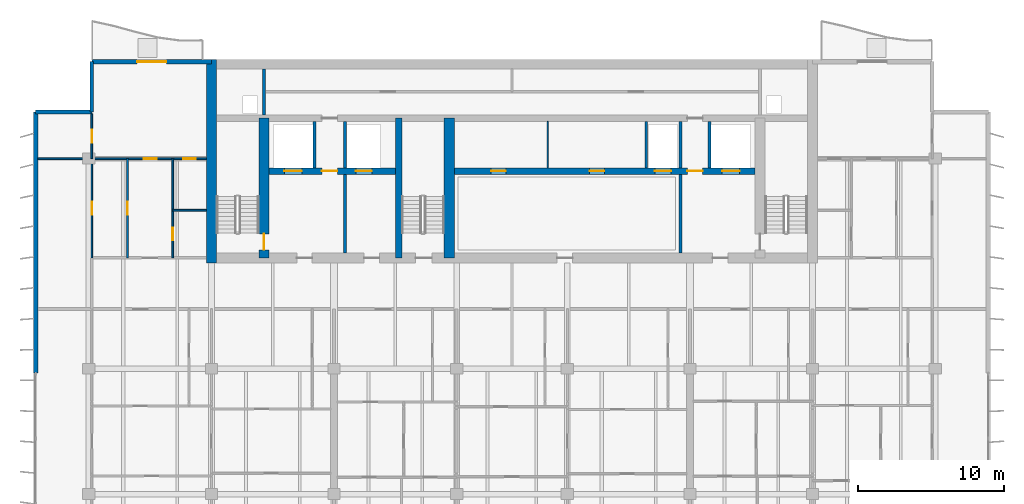
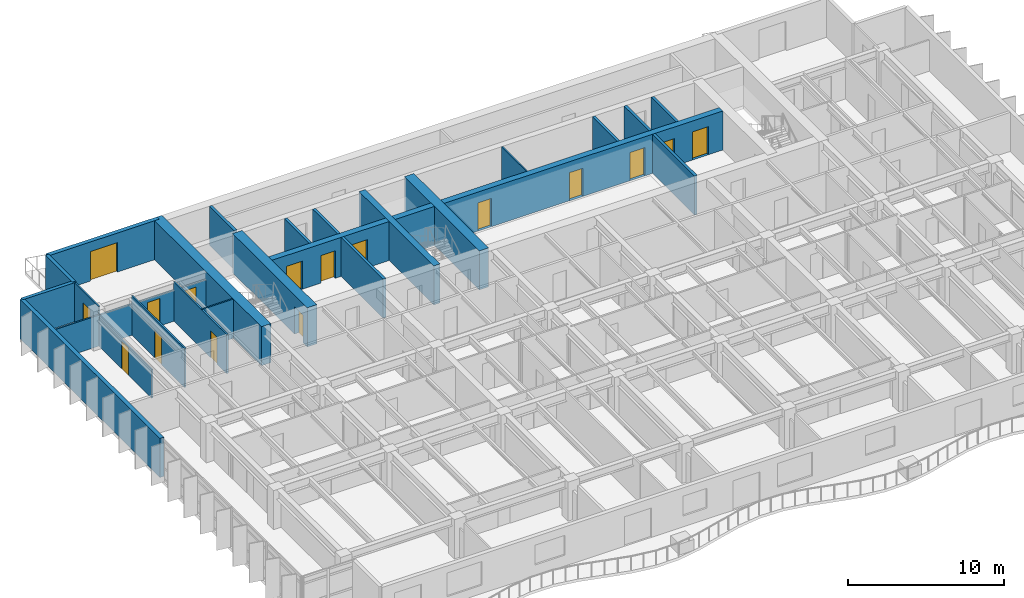
# One storey, part 13 of 19: 24 walls, 16 doors, 16 openings.
"""IFC4 building model written with IfcOpenShell, lengths in metres."""

from ifc_helpers import new_model, si_unit, direction, frame, frame_2d, origin, place, context, subcontext, project, spatial, rectangle, extrude, material, layer, layer_set, type_object, element, fill, save


model = new_model("IFC4")

# Units and contexts
model_context = context("Model", 3, precision=1e-05, world=origin(), true_north=direction((0.0, 1.0)))
body_context = subcontext(model_context, "Body", "Model", "MODEL_VIEW")
ifc_project = project(units=[si_unit("LENGTHUNIT", "METRE"), si_unit("AREAUNIT", "SQUARE_METRE"), si_unit("VOLUMEUNIT", "CUBIC_METRE"), si_unit("PLANEANGLEUNIT", "RADIAN"), si_unit("MASSUNIT", "GRAM", prefix="KILO")], contexts=[model_context])

# Site, building, storey
site_placement = place(None, origin())
site = spatial("IfcSite", under=ifc_project, at=site_placement, CompositionType="ELEMENT")
building_placement = place(site_placement, origin())
building = spatial("IfcBuilding", under=site, at=building_placement, Name="Caelmar Bay Residences", CompositionType="ELEMENT")
storey_placement = place(building_placement, frame((0.0, 0.0, 195.0)))
storey = spatial("IfcBuildingStorey", under=building, at=storey_placement, Name="L54", CompositionType="ELEMENT", Elevation=195.0)

# Wall
ifc_material_1 = material(Name="Concrete f'c 55 MPa (8,000 psi)", Category="concrete")
ifc_layer_1 = layer(ifc_material_1, 0.699951171875)
ifc_layer_set_1 = layer_set([ifc_layer_1], Name="Concrete f'c 55 MPa (8,000 psi)")
wall_type_1 = type_object("IfcWallType", Name="SW-COR-700", PredefinedType="SHEAR", material=ifc_layer_set_1)
wall_1_placement = place(storey_placement, frame((18.300048828125, 36.64990234375, 0.0), z_axis=(0.0, 0.0, 1.0), x_axis=(0.0, 1.0, 0.0)))
element("IfcWall", 1, at=wall_1_placement, inside=storey, type_object=wall_type_1, Name="L54 Rear Core West Shear Wall", PredefinedType="SHEAR", context=body_context, shape_type="SweptSolid", body=[
    extrude(rectangle(XDim=13.9501953125, YDim=0.699951171875, at=frame_2d((6.97509765625, 0.0))), origin(), (0.0, 0.0, 1.0), 3.050048828125),
])

# Wall, opening, door
wall_2_placement = place(storey_placement, frame((21.89990234375, 37.0, 0.0), z_axis=(0.0, 0.0, 1.0), x_axis=(0.0, 1.0, 0.0)))
wall_2 = element("IfcWall", 2, at=wall_2_placement, inside=storey, type_object=wall_type_1, Name="L54 Core Structural Web Wall ST1E", PredefinedType="SHEAR", context=body_context, shape_type="SweptSolid", body=[
    extrude(rectangle(XDim=9.574951171875, YDim=0.699951171875, at=frame_2d((4.78759765625, 0.0))), origin(), (0.0, 0.0, 1.0), 3.050048828125),
])
opening_1_placement = place(wall_2_placement, frame((0.550048828125, 0.0, 0.0)))
opening_1 = element("IfcOpeningElement", 3, at=opening_1_placement, cuts=wall_2, Name="Opening D-L54-107", PredefinedType="OPENING", context=body_context, shape_type="SweptSolid", body=[
    extrude(rectangle(XDim=1.10009765625, YDim=2.14990234375, at=frame_2d((0.550048828125, 1.074951171875))), frame((0.0, 0.35986328125, 0.0), z_axis=(0.0, -1.0, 0.0), x_axis=(1.0, 0.0, 0.0)), (0.0, 0.0, 1.0), 0.719970703125),
])
ifc_material_2 = material(Name="Fire-rated steel and walnut architectural door assembly", Category="steel")
ifc_layer_2 = layer(ifc_material_2, 0.050048828125)
ifc_layer_set_2 = layer_set([ifc_layer_2], Name="Fire-rated steel and walnut architectural door assembly")
door_type_1 = type_object("IfcDoorType", Name="D-STAIR-1100", OperationType="NOTDEFINED", PredefinedType="DOOR", material=ifc_layer_set_2)
door_1_placement = place(opening_1_placement, origin())
door_1 = element("IfcDoor", 4, at=door_1_placement, inside=storey, type_object=door_type_1, Name="L54 Firefighting Lobby West Door", OperationType="SINGLE_SWING_LEFT", OverallHeight=2.14990234375, OverallWidth=1.10009765625, PredefinedType="DOOR", context=body_context, shape_type="SweptSolid", body=[
    extrude(rectangle(XDim=1.10009765625, YDim=2.14990234375, at=frame_2d((0.550048828125, 1.074951171875))), frame((0.0, 0.02490234375, 0.0), z_axis=(0.0, -1.0, 0.0), x_axis=(1.0, 0.0, 0.0)), (0.0, 0.0, 1.0), 0.050048828125),
])
fill(opening_1, door_1)

# Walls
wall_3_placement = place(storey_placement, frame((34.60009765625, 37.0, 0.0), z_axis=(0.0, 0.0, 1.0), x_axis=(0.0, 1.0, 0.0)))
element("IfcWall", 5, at=wall_3_placement, inside=storey, type_object=wall_type_1, Name="L54 Core Structural Web Wall ST3E", PredefinedType="SHEAR", context=body_context, shape_type="SweptSolid", body=[
    extrude(rectangle(XDim=9.574951171875, YDim=0.699951171875, at=frame_2d((4.78759765625, 0.0))), origin(), (0.0, 0.0, 1.0), 3.050048828125),
])
ifc_material_3 = material(Name="Concrete f'c 70 MPa (10,000 psi)", Category="concrete")
ifc_layer_3 = layer(ifc_material_3, 0.449951171875)
ifc_layer_set_3 = layer_set([ifc_layer_3], Name="Concrete f'c 70 MPa (10,000 psi)")
wall_type_2 = type_object("IfcWallType", Name="SW-WEB-450", PredefinedType="SHEAR", material=ifc_layer_set_3)
wall_4_placement = place(storey_placement, frame((31.125, 37.0, 0.0), z_axis=(0.0, 0.0, 1.0), x_axis=(0.0, 1.0, 0.0)))
element("IfcWall", 6, at=wall_4_placement, inside=storey, type_object=wall_type_2, Name="L54 Core Structural Web Wall ST3W", PredefinedType="SHEAR", context=body_context, shape_type="SweptSolid", body=[
    extrude(rectangle(XDim=9.574951171875, YDim=0.449951171875, at=frame_2d((4.78759765625, 0.0))), origin(), (0.0, 0.0, 1.0), 3.050048828125),
])

# Wall, openings, doors
wall_5_placement = place(storey_placement, frame((22.25, 42.949951171875, 0.0), z_axis=(0.0, 0.0, 1.0), x_axis=(1.0, 0.0, 0.0)))
wall_5 = element("IfcWall", 7, at=wall_5_placement, inside=storey, type_object=wall_type_2, Name="L54 Core Structural Web Wall LFR", PredefinedType="SHEAR", context=body_context, shape_type="SweptSolid", body=[
    extrude(rectangle(XDim=33.300048828125, YDim=0.449951171875, at=frame_2d((16.64990234375, 0.0))), origin(), (0.0, 0.0, 1.0), 3.050048828125),
])
opening_2_placement = place(wall_5_placement, frame((1.050048828125, 0.0, 0.0)))
opening_2 = element("IfcOpeningElement", 8, at=opening_2_placement, cuts=wall_5, Name="Opening LD2", PredefinedType="OPENING", context=body_context, shape_type="SweptSolid", body=[
    extrude(rectangle(XDim=1.199951171875, YDim=2.199951171875, at=frame_2d((0.60009765625, 1.10009765625))), frame((0.0, 0.23486328125, 0.0), z_axis=(0.0, -1.0, 0.0), x_axis=(1.0, 0.0, 0.0)), (0.0, 0.0, 1.0), 0.469970703125),
])
opening_3_placement = place(wall_5_placement, frame((31.050048828125, 0.0, 0.0)))
opening_3 = element("IfcOpeningElement", 9, at=opening_3_placement, cuts=wall_5, Name="Opening LD2", PredefinedType="OPENING", context=body_context, shape_type="SweptSolid", body=[
    extrude(rectangle(XDim=1.199951171875, YDim=2.199951171875, at=frame_2d((0.60009765625, 1.10009765625))), frame((0.0, 0.23486328125, 0.0), z_axis=(0.0, -1.0, 0.0), x_axis=(1.0, 0.0, 0.0)), (0.0, 0.0, 1.0), 0.469970703125),
])
opening_4_placement = place(wall_5_placement, frame((26.449951171875, 0.0, 0.0)))
opening_4 = element("IfcOpeningElement", 10, at=opening_4_placement, cuts=wall_5, Name="Opening LD1", PredefinedType="OPENING", context=body_context, shape_type="SweptSolid", body=[
    extrude(rectangle(XDim=1.10009765625, YDim=2.199951171875, at=frame_2d((0.550048828125, 1.10009765625))), frame((0.0, 0.23486328125, 0.0), z_axis=(0.0, -1.0, 0.0), x_axis=(1.0, 0.0, 0.0)), (0.0, 0.0, 1.0), 0.469970703125),
])
opening_5_placement = place(wall_5_placement, frame((5.949951171875, 0.0, 0.0)))
opening_5 = element("IfcOpeningElement", 11, at=opening_5_placement, cuts=wall_5, Name="Opening LD1", PredefinedType="OPENING", context=body_context, shape_type="SweptSolid", body=[
    extrude(rectangle(XDim=1.10009765625, YDim=2.199951171875, at=frame_2d((0.550048828125, 1.10009765625))), frame((0.0, 0.23486328125, 0.0), z_axis=(0.0, -1.0, 0.0), x_axis=(1.0, 0.0, 0.0)), (0.0, 0.0, 1.0), 0.469970703125),
])
opening_6_placement = place(wall_5_placement, frame((3.625, 0.0, 0.0)))
opening_6 = element("IfcOpeningElement", 12, at=opening_6_placement, cuts=wall_5, Name="Opening D-L54-108", PredefinedType="OPENING", context=body_context, shape_type="SweptSolid", body=[
    extrude(rectangle(XDim=1.050048828125, YDim=2.14990234375, at=frame_2d((0.52490234375, 1.074951171875))), frame((0.0, 0.23486328125, 0.0), z_axis=(0.0, -1.0, 0.0), x_axis=(1.0, 0.0, 0.0)), (0.0, 0.0, 1.0), 0.469970703125),
])
opening_7_placement = place(wall_5_placement, frame((28.675048828125, 0.0, 0.0)))
opening_7 = element("IfcOpeningElement", 13, at=opening_7_placement, cuts=wall_5, Name="Opening D-L54-111", PredefinedType="OPENING", context=body_context, shape_type="SweptSolid", body=[
    extrude(rectangle(XDim=1.050048828125, YDim=2.14990234375, at=frame_2d((0.52490234375, 1.074951171875))), frame((0.0, 0.23486328125, 0.0), z_axis=(0.0, -1.0, 0.0), x_axis=(1.0, 0.0, 0.0)), (0.0, 0.0, 1.0), 0.469970703125),
])
opening_8_placement = place(wall_5_placement, frame((15.22509765625, 0.0, 0.0)))
opening_8 = element("IfcOpeningElement", 14, at=opening_8_placement, cuts=wall_5, Name="Opening D-L54-114", PredefinedType="OPENING", context=body_context, shape_type="SweptSolid", body=[
    extrude(rectangle(XDim=1.0, YDim=2.199951171875, at=frame_2d((0.5, 1.10009765625))), frame((0.0, 0.23486328125, 0.0), z_axis=(0.0, -1.0, 0.0), x_axis=(1.0, 0.0, 0.0)), (0.0, 0.0, 1.0), 0.469970703125),
])
opening_9_placement = place(wall_5_placement, frame((21.97509765625, 0.0, 0.0)))
opening_9 = element("IfcOpeningElement", 15, at=opening_9_placement, cuts=wall_5, Name="Opening D-L54-115", PredefinedType="OPENING", context=body_context, shape_type="SweptSolid", body=[
    extrude(rectangle(XDim=1.0, YDim=2.199951171875, at=frame_2d((0.5, 1.10009765625))), frame((0.0, 0.23486328125, 0.0), z_axis=(0.0, -1.0, 0.0), x_axis=(1.0, 0.0, 0.0)), (0.0, 0.0, 1.0), 0.469970703125),
])
ifc_layer_4 = layer(ifc_material_2, 0.050048828125)
ifc_layer_set_4 = layer_set([ifc_layer_4], Name="Fire-rated steel and walnut architectural door assembly")
door_type_2 = type_object("IfcDoorType", Name="D-FSAE-1050", OperationType="NOTDEFINED", PredefinedType="DOOR", material=ifc_layer_set_4)
door_2_placement = place(opening_6_placement, origin())
door_2 = element("IfcDoor", 16, at=door_2_placement, inside=storey, type_object=door_type_2, Name="L54 Firefighting Lobby West Door", OperationType="SINGLE_SWING_RIGHT", OverallHeight=2.14990234375, OverallWidth=1.050048828125, PredefinedType="DOOR", context=body_context, shape_type="SweptSolid", body=[
    extrude(rectangle(XDim=1.050048828125, YDim=2.14990234375, at=frame_2d((0.52490234375, 1.074951171875))), frame((0.0, 0.02490234375, 0.0), z_axis=(0.0, -1.0, 0.0), x_axis=(1.0, 0.0, 0.0)), (0.0, 0.0, 1.0), 0.050048828125),
])
fill(opening_6, door_2)
door_3_placement = place(opening_7_placement, origin())
door_3 = element("IfcDoor", 17, at=door_3_placement, inside=storey, type_object=door_type_2, Name="L54 Firefighting Lobby East Door", OperationType="SINGLE_SWING_LEFT", OverallHeight=2.14990234375, OverallWidth=1.050048828125, PredefinedType="DOOR", context=body_context, shape_type="SweptSolid", body=[
    extrude(rectangle(XDim=1.050048828125, YDim=2.14990234375, at=frame_2d((0.52490234375, 1.074951171875))), frame((0.0, 0.02490234375, 0.0), z_axis=(0.0, -1.0, 0.0), x_axis=(1.0, 0.0, 0.0)), (0.0, 0.0, 1.0), 0.050048828125),
])
fill(opening_7, door_3)
ifc_material_4 = material(Name="Brushed bronze stainless-steel fire-rated lift landing doors", Category="steel")
ifc_layer_5 = layer(ifc_material_4, 0.050048828125)
ifc_layer_set_5 = layer_set([ifc_layer_5], Name="Brushed bronze stainless-steel fire-rated lift landing doors")
door_type_3 = type_object("IfcDoorType", Name="D-LND-1100", OperationType="DOUBLE_DOOR_SLIDING", PredefinedType="DOOR", material=ifc_layer_set_5)
door_4_placement = place(opening_4_placement, origin())
door_4 = element("IfcDoor", 18, at=door_4_placement, inside=storey, type_object=door_type_3, Name="L54 LP6 Sliding Landing Door", OperationType="DOUBLE_DOOR_SLIDING", OverallHeight=2.199951171875, OverallWidth=1.10009765625, PredefinedType="DOOR", context=body_context, shape_type="SweptSolid", body=[
    extrude(rectangle(XDim=1.10009765625, YDim=2.199951171875, at=frame_2d((0.550048828125, 1.10009765625))), frame((0.0, 0.02490234375, 0.0), z_axis=(0.0, -1.0, 0.0), x_axis=(1.0, 0.0, 0.0)), (0.0, 0.0, 1.0), 0.050048828125),
])
fill(opening_4, door_4)
door_5_placement = place(opening_5_placement, origin())
door_5 = element("IfcDoor", 19, at=door_5_placement, inside=storey, type_object=door_type_3, Name="L54 LP7 Sliding Landing Door", OperationType="DOUBLE_DOOR_SLIDING", OverallHeight=2.199951171875, OverallWidth=1.10009765625, PredefinedType="DOOR", context=body_context, shape_type="SweptSolid", body=[
    extrude(rectangle(XDim=1.10009765625, YDim=2.199951171875, at=frame_2d((0.550048828125, 1.10009765625))), frame((0.0, 0.02490234375, 0.0), z_axis=(0.0, -1.0, 0.0), x_axis=(1.0, 0.0, 0.0)), (0.0, 0.0, 1.0), 0.050048828125),
])
fill(opening_5, door_5)
ifc_material_5 = material(Name="Brushed stainless-steel FSAE sliding landing door", Category="steel")
ifc_layer_6 = layer(ifc_material_5, 0.050048828125)
ifc_layer_set_6 = layer_set([ifc_layer_6], Name="Brushed stainless-steel FSAE sliding landing door")
door_type_4 = type_object("IfcDoorType", Name="D-LND-1200", OperationType="DOUBLE_DOOR_SLIDING", PredefinedType="DOOR", material=ifc_layer_set_6)
door_6_placement = place(opening_2_placement, origin())
door_6 = element("IfcDoor", 20, at=door_6_placement, inside=storey, type_object=door_type_4, Name="L54 LF1 Sliding Landing Door", OperationType="DOUBLE_DOOR_SLIDING", OverallHeight=2.199951171875, OverallWidth=1.199951171875, PredefinedType="DOOR", context=body_context, shape_type="SweptSolid", body=[
    extrude(rectangle(XDim=1.199951171875, YDim=2.199951171875, at=frame_2d((0.60009765625, 1.10009765625))), frame((0.0, 0.02490234375, 0.0), z_axis=(0.0, -1.0, 0.0), x_axis=(1.0, 0.0, 0.0)), (0.0, 0.0, 1.0), 0.050048828125),
])
fill(opening_2, door_6)
door_7_placement = place(opening_3_placement, origin())
door_7 = element("IfcDoor", 21, at=door_7_placement, inside=storey, type_object=door_type_4, Name="L54 LF2 Sliding Landing Door", OperationType="DOUBLE_DOOR_SLIDING", OverallHeight=2.199951171875, OverallWidth=1.199951171875, PredefinedType="DOOR", context=body_context, shape_type="SweptSolid", body=[
    extrude(rectangle(XDim=1.199951171875, YDim=2.199951171875, at=frame_2d((0.60009765625, 1.10009765625))), frame((0.0, 0.02490234375, 0.0), z_axis=(0.0, -1.0, 0.0), x_axis=(1.0, 0.0, 0.0)), (0.0, 0.0, 1.0), 0.050048828125),
])
fill(opening_3, door_7)
ifc_layer_7 = layer(ifc_material_2, 0.050048828125)
ifc_layer_set_7 = layer_set([ifc_layer_7], Name="Fire-rated steel and walnut architectural door assembly")
door_type_5 = type_object("IfcDoorType", Name="D-UNIT-1000", OperationType="NOTDEFINED", PredefinedType="DOOR", material=ifc_layer_set_7)
door_8_placement = place(opening_8_placement, origin())
door_8 = element("IfcDoor", 22, at=door_8_placement, inside=storey, type_object=door_type_5, Name="L54 Collector Study Door", OperationType="SINGLE_SWING_RIGHT", OverallHeight=2.199951171875, OverallWidth=1.0, PredefinedType="DOOR", context=body_context, shape_type="SweptSolid", body=[
    extrude(rectangle(XDim=1.0, YDim=2.199951171875, at=frame_2d((0.5, 1.10009765625))), frame((0.0, 0.02490234375, 0.0), z_axis=(0.0, -1.0, 0.0), x_axis=(1.0, 0.0, 0.0)), (0.0, 0.0, 1.0), 0.050048828125),
])
fill(opening_8, door_8)
door_9_placement = place(opening_9_placement, origin())
door_9 = element("IfcDoor", 23, at=door_9_placement, inside=storey, type_object=door_type_5, Name="L54 Private Dining Room Door", OperationType="SINGLE_SWING_LEFT", OverallHeight=2.199951171875, OverallWidth=1.0, PredefinedType="DOOR", context=body_context, shape_type="SweptSolid", body=[
    extrude(rectangle(XDim=1.0, YDim=2.199951171875, at=frame_2d((0.5, 1.10009765625))), frame((0.0, 0.02490234375, 0.0), z_axis=(0.0, -1.0, 0.0), x_axis=(1.0, 0.0, 0.0)), (0.0, 0.0, 1.0), 0.050048828125),
])
fill(opening_9, door_9)

# Walls
ifc_material_6 = material(Name="Precast concrete f'c 40 MPa (6,000 psi)", Category="concrete")
ifc_layer_8 = layer(ifc_material_6, 0.25)
ifc_layer_set_8 = layer_set([ifc_layer_8], Name="Precast concrete f'c 40 MPa (6,000 psi)")
wall_type_3 = type_object("IfcWallType", Name="W-EXT-250", PredefinedType="ELEMENTEDWALL", material=ifc_layer_set_8)
wall_6_placement = place(storey_placement, frame((6.25, 47.0, 0.0), z_axis=(0.0, 0.0, 1.0), x_axis=(1.0, 0.0, 0.0)))
element("IfcWall", 24, at=wall_6_placement, inside=storey, type_object=wall_type_3, Name="L54 NNW-H Notch Wall", PredefinedType="ELEMENTEDWALL", context=body_context, shape_type="SweptSolid", body=[
    extrude(rectangle(XDim=3.85009765625, YDim=0.25, at=frame_2d((1.925048828125, 0.0))), origin(), (0.0, 0.0, 1.0), 3.050048828125),
])
wall_7_placement = place(storey_placement, frame((10.10009765625, 47.0, 0.0), z_axis=(0.0, 0.0, 1.0), x_axis=(0.0, 1.0, 0.0)))
element("IfcWall", 25, at=wall_7_placement, inside=storey, type_object=wall_type_3, Name="L54 NNW-V Notch Wall", PredefinedType="ELEMENTEDWALL", context=body_context, shape_type="SweptSolid", body=[
    extrude(rectangle(XDim=3.449951171875, YDim=0.25, at=frame_2d((1.72509765625, 0.0))), origin(), (0.0, 0.0, 1.0), 3.050048828125),
])
ifc_layer_9 = layer(ifc_material_6, 0.300048828125)
ifc_layer_set_9 = layer_set([ifc_layer_9], Name="Precast concrete f'c 40 MPa (6,000 psi)")
wall_type_4 = type_object("IfcWallType", Name="W-EXT-300", PredefinedType="STANDARD", material=ifc_layer_set_9)
wall_8_placement = place(storey_placement, frame((6.25, 29.10009765625, 0.0), z_axis=(0.0, 0.0, 1.0), x_axis=(0.0, 1.0, 0.0)))
element("IfcWall", 26, at=wall_8_placement, inside=storey, type_object=wall_type_4, Name="L54 West Rear Exterior Wall", PredefinedType="STANDARD", context=body_context, shape_type="SweptSolid", body=[
    extrude(rectangle(XDim=17.89990234375, YDim=0.300048828125, at=frame_2d((8.949951171875, 0.0))), origin(), (0.0, 0.0, 1.0), 3.050048828125),
])

# Wall, opening, door
wall_9_placement = place(storey_placement, frame((10.10009765625, 50.449951171875, 0.0), z_axis=(0.0, 0.0, 1.0), x_axis=(1.0, 0.0, 0.0)))
wall_9 = element("IfcWall", 27, at=wall_9_placement, inside=storey, type_object=wall_type_4, Name="L54 North-West Wing Exterior Wall", PredefinedType="STANDARD", context=body_context, shape_type="SweptSolid", body=[
    extrude(rectangle(XDim=8.199951171875, YDim=0.300048828125, at=frame_2d((4.10009765625, 0.0))), origin(), (0.0, 0.0, 1.0), 3.050048828125),
])
opening_10_placement = place(wall_9_placement, frame((3.10009765625, 0.0, 0.0)))
opening_10 = element("IfcOpeningElement", 28, at=opening_10_placement, cuts=wall_9, Name="Opening L54-BDNW", PredefinedType="OPENING", context=body_context, shape_type="SweptSolid", body=[
    extrude(rectangle(XDim=2.0, YDim=2.300048828125, at=frame_2d((1.0, 1.14990234375))), frame((0.0, 0.159912109375, 0.0), z_axis=(0.0, -1.0, 0.0), x_axis=(1.0, 0.0, 0.0)), (0.0, 0.0, 1.0), 0.320068359375),
])
ifc_material_7 = material(Name="Anodised bronze thermally broken sliding glass door", Category="glass")
ifc_layer_10 = layer(ifc_material_7, 0.050048828125)
ifc_layer_set_10 = layer_set([ifc_layer_10], Name="Anodised bronze thermally broken sliding glass door")
door_type_6 = type_object("IfcDoorType", Name="D-BAL-2000", OperationType="DOUBLE_DOOR_SLIDING", PredefinedType="DOOR", material=ifc_layer_set_10)
door_10_placement = place(opening_10_placement, origin())
door_10 = element("IfcDoor", 29, at=door_10_placement, inside=storey, type_object=door_type_6, Name="L54 North-West Balcony Door", OperationType="DOUBLE_DOOR_SLIDING", OverallHeight=2.300048828125, OverallWidth=2.0, PredefinedType="DOOR", context=body_context, shape_type="SweptSolid", body=[
    extrude(rectangle(XDim=2.0, YDim=2.300048828125, at=frame_2d((1.0, 1.14990234375))), frame((0.0, 0.02490234375, 0.0), z_axis=(0.0, -1.0, 0.0), x_axis=(1.0, 0.0, 0.0)), (0.0, 0.0, 1.0), 0.050048828125),
])
fill(opening_10, door_10)

# Walls
ifc_material_8 = material(Name="Fire-rated masonry and gypsum shaftliner assembly 200 mm", Category="masonry")
ifc_layer_11 = layer(ifc_material_8, 0.199951171875)
ifc_layer_set_11 = layer_set([ifc_layer_11], Name="Fire-rated masonry and gypsum shaftliner assembly 200 mm")
wall_type_5 = type_object("IfcWallType", Name="W-FSAE-200", PredefinedType="PARTITIONING", material=ifc_layer_set_11)
wall_10_placement = place(storey_placement, frame((21.89990234375, 46.794921875, 0.0), z_axis=(0.0, 0.0, 1.0), x_axis=(0.0, 1.0, 0.0)))
element("IfcWall", 30, at=wall_10_placement, inside=storey, type_object=wall_type_5, Name="L54 Partition Wall V021", PredefinedType="PARTITIONING", context=body_context, shape_type="SweptSolid", body=[
    extrude(rectangle(XDim=3.16015625, YDim=0.199951171875, at=frame_2d((1.580078125, 0.0))), origin(), (0.0, 0.0, 1.0), 3.050048828125),
])
wall_11_placement = place(storey_placement, frame((25.35009765625, 43.169921875, 0.0), z_axis=(0.0, 0.0, 1.0), x_axis=(0.0, 1.0, 0.0)))
element("IfcWall", 31, at=wall_11_placement, inside=storey, type_object=wall_type_5, Name="L54 Partition Wall V025", PredefinedType="PARTITIONING", context=body_context, shape_type="SweptSolid", body=[
    extrude(rectangle(XDim=3.18505859375, YDim=0.199951171875, at=frame_2d((1.592529296875, 0.0))), origin(), (0.0, 0.0, 1.0), 3.050048828125),
])
wall_12_placement = place(storey_placement, frame((27.449951171875, 37.344970703125, 0.0), z_axis=(0.0, 0.0, 1.0), x_axis=(0.0, 1.0, 0.0)))
element("IfcWall", 32, at=wall_12_placement, inside=storey, type_object=wall_type_5, Name="L54 Partition Wall V029", PredefinedType="PARTITIONING", context=body_context, shape_type="SweptSolid", body=[
    extrude(rectangle(XDim=5.385009765625, YDim=0.199951171875, at=frame_2d((2.6923828125, 0.0))), origin(), (0.0, 0.0, 1.0), 3.050048828125),
])
for number, where, z_axis, x_axis, name in (
    (33, (27.449951171875, 43.169921875, 0.0), (0.0, 0.0, 1.0), (0.0, 1.0, 0.0), "L54 Partition Wall V030"),
    (34, (48.10009765625, 43.169921875, 0.0), (0.0, 0.0, 1.0), (0.0, 1.0, 0.0), "L54 Partition Wall V056"),
):
    element("IfcWall", number, at=place(storey_placement, frame(where, z_axis=z_axis, x_axis=x_axis)), inside=storey, type_object=wall_type_5, Name=name, PredefinedType="PARTITIONING", context=body_context, shape_type="SweptSolid", body=[
        extrude(rectangle(XDim=3.18505859375, YDim=0.199951171875, at=frame_2d((1.592529296875, 0.0))), origin(), (0.0, 0.0, 1.0), 3.050048828125),
    ])
wall_13_placement = place(storey_placement, frame((50.449951171875, 37.344970703125, 0.0), z_axis=(0.0, 0.0, 1.0), x_axis=(0.0, 1.0, 0.0)))
element("IfcWall", 35, at=wall_13_placement, inside=storey, type_object=wall_type_5, Name="L54 Partition Wall V060", PredefinedType="PARTITIONING", context=body_context, shape_type="SweptSolid", body=[
    extrude(rectangle(XDim=5.385009765625, YDim=0.199951171875, at=frame_2d((2.6923828125, 0.0))), origin(), (0.0, 0.0, 1.0), 3.050048828125),
])
for number, where, z_axis, x_axis, name in (
    (36, (50.449951171875, 43.169921875, 0.0), (0.0, 0.0, 1.0), (0.0, 1.0, 0.0), "L54 Partition Wall V061"),
    (37, (52.449951171875, 43.169921875, 0.0), (0.0, 0.0, 1.0), (0.0, 1.0, 0.0), "L54 Partition Wall V065"),
):
    element("IfcWall", number, at=place(storey_placement, frame(where, z_axis=z_axis, x_axis=x_axis)), inside=storey, type_object=wall_type_5, Name=name, PredefinedType="PARTITIONING", context=body_context, shape_type="SweptSolid", body=[
        extrude(rectangle(XDim=3.18505859375, YDim=0.199951171875, at=frame_2d((1.592529296875, 0.0))), origin(), (0.0, 0.0, 1.0), 3.050048828125),
    ])

# Wall, opening, door
ifc_material_9 = material(Name="Anodised bronze framed acoustic sliding study partition 100 mm")
ifc_layer_12 = layer(ifc_material_9, 0.10009765625)
ifc_layer_set_12 = layer_set([ifc_layer_12], Name="Anodised bronze framed acoustic sliding study partition 100 mm")
wall_type_6 = type_object("IfcWallType", Name="W-MOV-100", PredefinedType="MOVABLE", material=ifc_layer_set_12)
wall_14_placement = place(storey_placement, frame((10.10009765625, 37.0048828125, 0.0), z_axis=(0.0, 0.0, 1.0), x_axis=(0.0, 1.0, 0.0)))
wall_14 = element("IfcWall", 38, at=wall_14_placement, inside=storey, type_object=wall_type_6, Name="L54 Partition Wall V008", PredefinedType="MOVABLE", context=body_context, shape_type="SweptSolid", body=[
    extrude(rectangle(XDim=6.795166015625, YDim=0.10009765625, at=frame_2d((3.3974609375, 0.0))), origin(), (0.0, 0.0, 1.0), 2.262939453125),
])
opening_11_placement = place(wall_14_placement, frame((2.947509765625, 0.0, 0.0)))
opening_11 = element("IfcOpeningElement", 39, at=opening_11_placement, cuts=wall_14, Name="Opening D-L54-164", PredefinedType="OPENING", context=body_context, shape_type="SweptSolid", body=[
    extrude(rectangle(XDim=0.89990234375, YDim=2.14990234375, at=frame_2d((0.449951171875, 1.074951171875))), frame((0.0, 0.06005859375, 0.0), z_axis=(0.0, -1.0, 0.0), x_axis=(1.0, 0.0, 0.0)), (0.0, 0.0, 1.0), 0.1201171875),
])
ifc_material_10 = material(Name="Solid walnut timber interior door leaf and frame", Category="wood")
ifc_layer_13 = layer(ifc_material_10, 0.050048828125)
ifc_layer_set_13 = layer_set([ifc_layer_13], Name="Solid walnut timber interior door leaf and frame")
door_type_7 = type_object("IfcDoorType", Name="D-ROOM-900", OperationType="NOTDEFINED", PredefinedType="DOOR", material=ifc_layer_set_13)
door_11_placement = place(opening_11_placement, origin())
door_11 = element("IfcDoor", 40, at=door_11_placement, inside=storey, type_object=door_type_7, Name="L54 Residence WA Sun Study Door", OperationType="SINGLE_SWING_RIGHT", OverallHeight=2.14990234375, OverallWidth=0.89990234375, PredefinedType="DOOR", context=body_context, shape_type="SweptSolid", body=[
    extrude(rectangle(XDim=0.89990234375, YDim=2.14990234375, at=frame_2d((0.449951171875, 1.074951171875))), frame((0.0, 0.02490234375, 0.0), z_axis=(0.0, -1.0, 0.0), x_axis=(1.0, 0.0, 0.0)), (0.0, 0.0, 1.0), 0.050048828125),
])
fill(opening_11, door_11)

# Wall
wall_15_placement = place(storey_placement, frame((41.35009765625, 43.169921875, 0.0), z_axis=(0.0, 0.0, 1.0), x_axis=(0.0, 1.0, 0.0)))
element("IfcWall", 41, at=wall_15_placement, inside=storey, type_object=wall_type_6, Name="L54 Partition Wall V048", PredefinedType="MOVABLE", context=body_context, shape_type="SweptSolid", body=[
    extrude(rectangle(XDim=3.18505859375, YDim=0.10009765625, at=frame_2d((1.592529296875, 0.0))), origin(), (0.0, 0.0, 1.0), 3.050048828125),
])

# Wall, opening, door
ifc_material_11 = material(Name="Acoustic metal-stud gypsum partition 120 mm")
ifc_layer_14 = layer(ifc_material_11, 0.1201171875)
ifc_layer_set_14 = layer_set([ifc_layer_14], Name="Acoustic metal-stud gypsum partition 120 mm")
wall_type_7 = type_object("IfcWallType", Name="W-PRT-120", PredefinedType="PARTITIONING", material=ifc_layer_set_14)
wall_16_placement = place(storey_placement, frame((10.10009765625, 43.804931640625, 0.0), z_axis=(0.0, 0.0, 1.0), x_axis=(0.0, 1.0, 0.0)))
wall_16 = element("IfcWall", 42, at=wall_16_placement, inside=storey, type_object=wall_type_7, Name="L54 Partition Wall V009", PredefinedType="PARTITIONING", context=body_context, shape_type="SweptSolid", body=[
    extrude(rectangle(XDim=3.074951171875, YDim=0.1201171875, at=frame_2d((1.53759765625, 0.0))), origin(), (0.0, 0.0, 1.0), 3.050048828125),
])
opening_12_placement = place(wall_16_placement, frame((1.08740234375, 0.0, 0.0)))
opening_12 = element("IfcOpeningElement", 43, at=opening_12_placement, cuts=wall_16, Name="Opening D-L54-165", PredefinedType="OPENING", context=body_context, shape_type="SweptSolid", body=[
    extrude(rectangle(XDim=0.89990234375, YDim=2.14990234375, at=frame_2d((0.449951171875, 1.074951171875))), frame((0.0, 0.070068359375, 0.0), z_axis=(0.0, -1.0, 0.0), x_axis=(1.0, 0.0, 0.0)), (0.0, 0.0, 1.0), 0.14013671875),
])
door_12_placement = place(opening_12_placement, origin())
door_12 = element("IfcDoor", 44, at=door_12_placement, inside=storey, type_object=door_type_7, Name="L54 Residence WA North Sitting Alcove Door", OperationType="SINGLE_SWING_LEFT", OverallHeight=2.14990234375, OverallWidth=0.89990234375, PredefinedType="DOOR", context=body_context, shape_type="SweptSolid", body=[
    extrude(rectangle(XDim=0.89990234375, YDim=2.14990234375, at=frame_2d((0.449951171875, 1.074951171875))), frame((0.0, 0.02490234375, 0.0), z_axis=(0.0, -1.0, 0.0), x_axis=(1.0, 0.0, 0.0)), (0.0, 0.0, 1.0), 0.050048828125),
])
fill(opening_12, door_12)

wall_17_placement = place(storey_placement, frame((12.5419921875, 37.0, 0.0), z_axis=(0.0, 0.0, 1.0), x_axis=(0.0, 1.0, 0.0)))
wall_17 = element("IfcWall", 45, at=wall_17_placement, inside=storey, type_object=wall_type_7, Name="L54 Partition Wall V010", PredefinedType="PARTITIONING", context=body_context, shape_type="SweptSolid", body=[
    extrude(rectangle(XDim=6.800048828125, YDim=0.1201171875, at=frame_2d((3.39990234375, 0.0))), origin(), (0.0, 0.0, 1.0), 3.050048828125),
])
opening_13_placement = place(wall_17_placement, frame((2.949951171875, 0.0, 0.0)))
opening_13 = element("IfcOpeningElement", 46, at=opening_13_placement, cuts=wall_17, Name="Opening D-L54-159", PredefinedType="OPENING", context=body_context, shape_type="SweptSolid", body=[
    extrude(rectangle(XDim=0.89990234375, YDim=2.14990234375, at=frame_2d((0.449951171875, 1.074951171875))), frame((0.0, 0.070068359375, 0.0), z_axis=(0.0, -1.0, 0.0), x_axis=(1.0, 0.0, 0.0)), (0.0, 0.0, 1.0), 0.14013671875),
])
door_13_placement = place(opening_13_placement, origin())
door_13 = element("IfcDoor", 47, at=door_13_placement, inside=storey, type_object=door_type_7, Name="L54 Residence WA Dining Room Door", OperationType="SINGLE_SWING_LEFT", OverallHeight=2.14990234375, OverallWidth=0.89990234375, PredefinedType="DOOR", context=body_context, shape_type="SweptSolid", body=[
    extrude(rectangle(XDim=0.89990234375, YDim=2.14990234375, at=frame_2d((0.449951171875, 1.074951171875))), frame((0.0, 0.02490234375, 0.0), z_axis=(0.0, -1.0, 0.0), x_axis=(1.0, 0.0, 0.0)), (0.0, 0.0, 1.0), 0.050048828125),
])
fill(opening_13, door_13)

wall_18_placement = place(storey_placement, frame((15.64990234375, 37.0, 0.0), z_axis=(0.0, 0.0, 1.0), x_axis=(0.0, 1.0, 0.0)))
wall_18 = element("IfcWall", 48, at=wall_18_placement, inside=storey, type_object=wall_type_7, Name="L54 Partition Wall V011", PredefinedType="PARTITIONING", context=body_context, shape_type="SweptSolid", body=[
    extrude(rectangle(XDim=6.800048828125, YDim=0.1201171875, at=frame_2d((3.39990234375, 0.0))), origin(), (0.0, 0.0, 1.0), 3.050048828125),
])
opening_14_placement = place(wall_18_placement, frame((1.20703125, 0.0, 0.0)))
opening_14 = element("IfcOpeningElement", 49, at=opening_14_placement, cuts=wall_18, Name="Opening D-L54-162", PredefinedType="OPENING", context=body_context, shape_type="SweptSolid", body=[
    extrude(rectangle(XDim=0.85009765625, YDim=2.10009765625, at=frame_2d((0.425048828125, 1.050048828125))), frame((0.0, 0.070068359375, 0.0), z_axis=(0.0, -1.0, 0.0), x_axis=(1.0, 0.0, 0.0)), (0.0, 0.0, 1.0), 0.14013671875),
])
ifc_layer_15 = layer(ifc_material_10, 0.050048828125)
ifc_layer_set_15 = layer_set([ifc_layer_15], Name="Solid walnut timber interior door leaf and frame")
door_type_8 = type_object("IfcDoorType", Name="D-BATH-850", OperationType="NOTDEFINED", PredefinedType="DOOR", material=ifc_layer_set_15)
door_14_placement = place(opening_14_placement, origin())
door_14 = element("IfcDoor", 50, at=door_14_placement, inside=storey, type_object=door_type_8, Name="L54 Residence WA Walk-In Closet Door", OperationType="SINGLE_SWING_RIGHT", OverallHeight=2.10009765625, OverallWidth=0.85009765625, PredefinedType="DOOR", context=body_context, shape_type="SweptSolid", body=[
    extrude(rectangle(XDim=0.85009765625, YDim=2.10009765625, at=frame_2d((0.425048828125, 1.050048828125))), frame((0.0, 0.02490234375, 0.0), z_axis=(0.0, -1.0, 0.0), x_axis=(1.0, 0.0, 0.0)), (0.0, 0.0, 1.0), 0.050048828125),
])
fill(opening_14, door_14)

# Wall
wall_19_placement = place(storey_placement, frame((15.64990234375, 40.263916015625, 0.0), z_axis=(0.0, 0.0, 1.0), x_axis=(1.0, 0.0, 0.0)))
element("IfcWall", 51, at=wall_19_placement, inside=storey, type_object=wall_type_7, Name="L54 Partition Wall H122", PredefinedType="PARTITIONING", context=body_context, shape_type="SweptSolid", body=[
    extrude(rectangle(XDim=2.30517578125, YDim=0.1201171875, at=frame_2d((1.152587890625, 0.0))), origin(), (0.0, 0.0, 1.0), 3.050048828125),
])

# Wall, openings, doors
wall_20_placement = place(storey_placement, frame((6.39501953125, 43.800048828125, 0.0), z_axis=(0.0, 0.0, 1.0), x_axis=(1.0, 0.0, 0.0)))
wall_20 = element("IfcWall", 52, at=wall_20_placement, inside=storey, type_object=wall_type_7, Name="L54 Partition Wall H124", PredefinedType="PARTITIONING", context=body_context, shape_type="SweptSolid", body=[
    extrude(rectangle(XDim=11.56005859375, YDim=0.1201171875, at=frame_2d((5.780029296875, 0.0))), origin(), (0.0, 0.0, 1.0), 2.41796875),
])
opening_15_placement = place(wall_20_placement, frame((7.2509765625, 0.0, 0.0)))
opening_15 = element("IfcOpeningElement", 53, at=opening_15_placement, cuts=wall_20, Name="Opening D-L54-161", PredefinedType="OPENING", context=body_context, shape_type="SweptSolid", body=[
    extrude(rectangle(XDim=0.89990234375, YDim=2.14990234375, at=frame_2d((0.449951171875, 1.074951171875))), frame((0.0, 0.070068359375, 0.0), z_axis=(0.0, -1.0, 0.0), x_axis=(1.0, 0.0, 0.0)), (0.0, 0.0, 1.0), 0.14013671875),
])
opening_16_placement = place(wall_20_placement, frame((9.982421875, 0.0, 0.0)))
opening_16 = element("IfcOpeningElement", 54, at=opening_16_placement, cuts=wall_20, Name="Opening D-L54-163", PredefinedType="OPENING", context=body_context, shape_type="SweptSolid", body=[
    extrude(rectangle(XDim=0.85009765625, YDim=2.10009765625, at=frame_2d((0.425048828125, 1.050048828125))), frame((0.0, 0.070068359375, 0.0), z_axis=(0.0, -1.0, 0.0), x_axis=(1.0, 0.0, 0.0)), (0.0, 0.0, 1.0), 0.14013671875),
])
door_15_placement = place(opening_16_placement, origin())
door_15 = element("IfcDoor", 55, at=door_15_placement, inside=storey, type_object=door_type_8, Name="L54 Residence WA Bathroom Door", OperationType="SINGLE_SWING_LEFT", OverallHeight=2.10009765625, OverallWidth=0.85009765625, PredefinedType="DOOR", context=body_context, shape_type="SweptSolid", body=[
    extrude(rectangle(XDim=0.85009765625, YDim=2.10009765625, at=frame_2d((0.425048828125, 1.050048828125))), frame((0.0, 0.02490234375, 0.0), z_axis=(0.0, -1.0, 0.0), x_axis=(1.0, 0.0, 0.0)), (0.0, 0.0, 1.0), 0.050048828125),
])
fill(opening_16, door_15)
door_16_placement = place(opening_15_placement, origin())
door_16 = element("IfcDoor", 56, at=door_16_placement, inside=storey, type_object=door_type_7, Name="L54 Residence WA Studio Living and Sleeping Room Door", OperationType="SINGLE_SWING_LEFT", OverallHeight=2.14990234375, OverallWidth=0.89990234375, PredefinedType="DOOR", context=body_context, shape_type="SweptSolid", body=[
    extrude(rectangle(XDim=0.89990234375, YDim=2.14990234375, at=frame_2d((0.449951171875, 1.074951171875))), frame((0.0, 0.02490234375, 0.0), z_axis=(0.0, -1.0, 0.0), x_axis=(1.0, 0.0, 0.0)), (0.0, 0.0, 1.0), 0.050048828125),
])
fill(opening_15, door_16)

save(model, "model.ifc")
